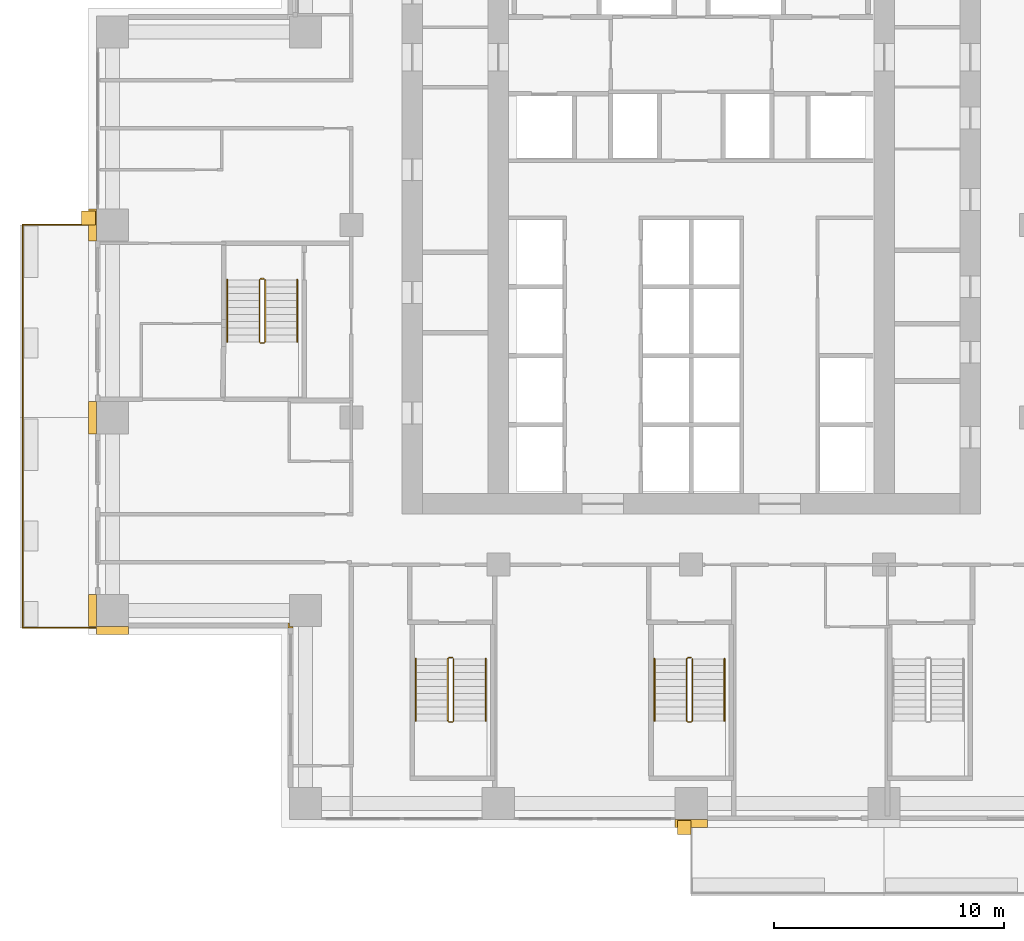
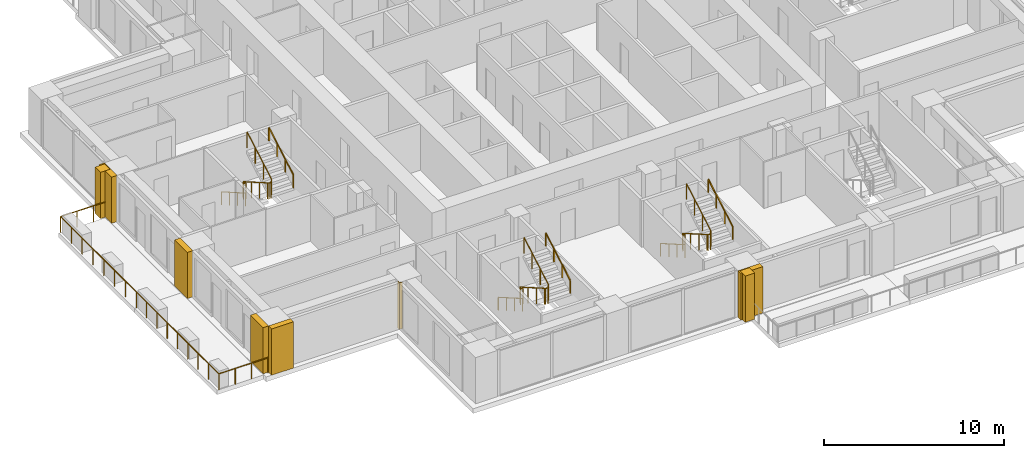
# One storey, part 15 of 17: 11 railings, 8 coverings.
"""IFC4 building model written with IfcOpenShell, lengths in metres."""

import ifcopenshell
import ifcopenshell.guid

model = None  # the IFC model being written
_history = None  # IfcOwnerHistory: only IFC2X3 demands one
_inside = {}  # id of a spatial element -> (the spatial element, [elements in it])
_under = {}  # id of a project, library or spatial element -> (it, [spatial elements below it])
_declared = {}  # id of a project -> (the project, [libraries it declares])
_typed = {}  # id of a type object -> (the type object, [elements of that type])
_made_of = {}  # id of a material, layer set ... -> (it, [elements and type objects made of it])


def new_model(schema):
    """Start an empty IFC model of exactly this schema.

    Asked for "IFC4X3", IfcOpenShell would pick the latest addendum, in which some entities
    have other attributes; the version numbers below select the first issue.
    IFC2X3 requires an IfcOwnerHistory on every rooted entity: one is made here for all.
    """
    global model, _history
    if schema == "IFC4X3":
        model = ifcopenshell.file(schema_version=(4, 3, 0, 0))
    else:
        model = ifcopenshell.file(schema=schema)
    _inside.clear()
    _under.clear()
    _declared.clear()
    _typed.clear()
    _made_of.clear()
    _history = None
    if model.schema == "IFC2X3":
        org = make("IfcOrganization", Name="unknown")
        user = make(
            "IfcPersonAndOrganization",
            ThePerson=make("IfcPerson", FamilyName="unknown"),
            TheOrganization=org,
        )
        app = make(
            "IfcApplication",
            ApplicationDeveloper=org,
            Version="unknown",
            ApplicationFullName="unknown",
            ApplicationIdentifier="unknown",
        )
        _history = make(
            "IfcOwnerHistory",
            OwningUser=user,
            OwningApplication=app,
            ChangeAction="ADDED",
            CreationDate=0,
        )
    return model


def make(cls, **values):
    """One entity of the class cls with the attributes given. An attribute that is None is left unset."""
    return model.create_entity(
        cls, **{name: value for name, value in values.items() if value is not None}
    )


def rooted(cls, **values):
    """An entity with a GlobalId (a new one), such as an element, a storey or a relation."""
    return make(cls, GlobalId=ifcopenshell.guid.new(), OwnerHistory=_history, **values)


def si_unit(unit_type, name, prefix=None):
    """IfcSIUnit, for example si_unit("LENGTHUNIT", "METRE", prefix="MILLI")."""
    return make("IfcSIUnit", UnitType=unit_type, Prefix=prefix, Name=name)


def assignment(units):
    """IfcUnitAssignment: the units of a project."""
    return None if units is None else make("IfcUnitAssignment", Units=units)


def point(xyz):
    """IfcCartesianPoint."""
    return None if xyz is None else make("IfcCartesianPoint", Coordinates=xyz)


def direction(xyz):
    """IfcDirection."""
    return None if xyz is None else make("IfcDirection", DirectionRatios=xyz)


def frame(location, z_axis=None, x_axis=None):
    """IfcAxis2Placement3D, a coordinate frame: its origin and axes. An axis left out is left unset."""
    return make(
        "IfcAxis2Placement3D",
        Location=point(location),
        Axis=direction(z_axis),
        RefDirection=direction(x_axis),
    )


def frame_2d(location, x_axis=None):
    """IfcAxis2Placement2D, a coordinate frame in the plane: its origin and x axis."""
    return make(
        "IfcAxis2Placement2D", Location=point(location), RefDirection=direction(x_axis)
    )


def origin():
    """The frame at (0, 0, 0) with its axes left unset."""
    return frame((0.0, 0.0, 0.0))


def origin_2d():
    """The frame at (0, 0) in the plane with its x axis left unset."""
    return frame_2d((0.0, 0.0))


def place(relative_to, where):
    """IfcLocalPlacement: puts the frame where relative to a parent placement (None: the world)."""
    return make(
        "IfcLocalPlacement", PlacementRelTo=relative_to, RelativePlacement=where
    )


def context(
    kind, dimensions, precision=None, world=None, true_north=None, identifier=None
):
    """IfcGeometricRepresentationContext, for example the 3D "Model" context."""
    return make(
        "IfcGeometricRepresentationContext",
        ContextIdentifier=identifier,
        ContextType=kind,
        CoordinateSpaceDimension=dimensions,
        Precision=precision,
        WorldCoordinateSystem=world,
        TrueNorth=true_north,
    )


def subcontext(parent, identifier, kind, view, scale=None):
    """IfcGeometricRepresentationSubContext, for example "Body" below "Model"."""
    return make(
        "IfcGeometricRepresentationSubContext",
        ContextIdentifier=identifier,
        ContextType=kind,
        ParentContext=parent,
        TargetScale=scale,
        TargetView=view,
    )


def project(units=None, contexts=None):
    """IfcProject with its units and contexts."""
    return rooted(
        "IfcProject",
        Name="project",
        RepresentationContexts=contexts,
        UnitsInContext=assignment(units),
    )


def spatial(cls, under=None, at=None, **own):
    """A site, building, storey or space (cls), placed at a placement, below another one or the project."""
    s = rooted(cls, ObjectPlacement=at, **own)
    if under is not None:
        _under.setdefault(under.id(), (under, []))[1].append(s)
    return s


def polyline(points):
    """IfcPolyline through the points."""
    return make("IfcPolyline", Points=[point(p) for p in points])


def profile(cls, at=None, kind="AREA", **sizes):
    """A parametric profile (cls). Its sizes go by their IFC names, for example OverallWidth=200.0."""
    return make(cls, ProfileType=kind, Position=at, **sizes)


def rectangle(**sizes):
    """IfcRectangleProfileDef."""
    return profile("IfcRectangleProfileDef", **sizes)


def outline(outer, holes=None, kind="AREA"):
    """IfcArbitraryClosedProfileDef: a profile drawn as a closed curve; with holes, ...WithVoids."""
    if holes is None:
        return make("IfcArbitraryClosedProfileDef", ProfileType=kind, OuterCurve=outer)
    return make(
        "IfcArbitraryProfileDefWithVoids",
        ProfileType=kind,
        OuterCurve=outer,
        InnerCurves=holes,
    )


def extrude(swept, where, along, depth):
    """IfcExtrudedAreaSolid: the profile swept, set in the frame where, extruded along a direction by depth."""
    return make(
        "IfcExtrudedAreaSolid",
        SweptArea=swept,
        Position=where,
        ExtrudedDirection=direction(along),
        Depth=depth,
    )


def shape(context_of_items, identifier, shape_type, items):
    """IfcShapeRepresentation: the items that make up one representation, for example the "Body"."""
    return make(
        "IfcShapeRepresentation",
        ContextOfItems=context_of_items,
        RepresentationIdentifier=identifier,
        RepresentationType=shape_type,
        Items=items,
    )


def material(Name=None, Category=None):
    """IfcMaterial."""
    return make("IfcMaterial", Name=Name, Category=Category)


def made_of(thing, what):
    """Note that an element or type object is made of a material, layer set ...; save() writes the relation."""
    if what is not None:
        _made_of.setdefault(what.id(), (what, []))[1].append(thing)
    return thing


def type_object(cls, material=None, **own):
    """A type object (cls), such as IfcWallType, which elements share."""
    return made_of(rooted(cls, **own), material)


def element(
    cls,
    number,
    at=None,
    inside=None,
    cuts=None,
    type_object=None,
    material=None,
    context=None,
    identifier="Body",
    shape_type=None,
    held_by="IfcProductDefinitionShape",
    body=None,
    shapes=None,
    **own,
):
    """One element of the class cls, such as IfcWall. Its Tag is "e" and its number.

    at: its placement. inside: the storey or other place that contains it. cuts: it is an
    opening in that element (IfcRelVoidsElement). A single representation is given by context,
    identifier, shape_type and body (its items); several are given by shapes. held_by: the class
    of the entity that holds the representations. save() writes the other relations.
    """
    e = rooted(cls, Tag="e%d" % number, ObjectPlacement=at, **own)
    if body is not None:
        shapes = [shape(context, identifier, shape_type, body)]
    if shapes is not None:
        e.Representation = make(held_by, Representations=shapes)
    if inside is not None:
        _inside.setdefault(inside.id(), (inside, []))[1].append(e)
    if cuts is not None:
        rooted(
            "IfcRelVoidsElement", RelatingBuildingElement=cuts, RelatedOpeningElement=e
        )
    if type_object is not None:
        _typed.setdefault(type_object.id(), (type_object, []))[1].append(e)
    return made_of(e, material)


def aggregate(whole, parts):
    """IfcRelAggregates: a whole, such as a stair, and the parts it consists of."""
    return rooted("IfcRelAggregates", RelatingObject=whole, RelatedObjects=parts)


def save(model, path):
    """Write the relations noted so far, then the file.

    IfcRelAggregates (storeys below a building ...), IfcRelContainedInSpatialStructure (elements
    in a storey), IfcRelDefinesByType, IfcRelAssociatesMaterial and IfcRelDeclares: one each for
    every whole, place, type object, material and project.
    """
    for whole, parts in _under.values():
        aggregate(whole, parts)
    for where, things in _inside.values():
        rooted(
            "IfcRelContainedInSpatialStructure",
            RelatedElements=things,
            RelatingStructure=where,
        )
    for kind, things in _typed.values():
        rooted("IfcRelDefinesByType", RelatedObjects=things, RelatingType=kind)
    for what, things in _made_of.values():
        rooted("IfcRelAssociatesMaterial", RelatedObjects=things, RelatingMaterial=what)
    for by, libraries in _declared.values():
        rooted("IfcRelDeclares", RelatingContext=by, RelatedDefinitions=libraries)
    model.write(path)


model = new_model("IFC4")

# Units and contexts
model_context = context("Model", 3, precision=1e-05, world=origin(), true_north=direction((0.0, 1.0)))
body_context = subcontext(model_context, "Body", "Model", "MODEL_VIEW")
ifc_project = project(units=[si_unit("LENGTHUNIT", "METRE"), si_unit("AREAUNIT", "SQUARE_METRE"), si_unit("VOLUMEUNIT", "CUBIC_METRE"), si_unit("PLANEANGLEUNIT", "RADIAN"), si_unit("MASSUNIT", "GRAM", prefix="KILO")], contexts=[model_context])

# Site, building, storey
site_placement = place(None, origin())
site = spatial("IfcSite", under=ifc_project, at=site_placement, CompositionType="ELEMENT")
building_placement = place(site_placement, origin())
building = spatial("IfcBuilding", under=site, at=building_placement, Name="Vermilion Ogive Tower", CompositionType="ELEMENT")
storey_placement = place(building_placement, frame((0.0, 0.0, 51.75)))
storey = spatial("IfcBuildingStorey", under=building, at=storey_placement, Name="L11", CompositionType="ELEMENT", Elevation=51.75)

# Railings
ifc_material_1 = material(Name="Stainless steel and glass", Category="steel")
railing_type_1 = type_object("IfcRailingType", Name="Balcony guard", PredefinedType="GUARDRAIL", material=ifc_material_1)
railing_1_placement = place(storey_placement, frame((-25.949951171875, 4.199951171875, -0.0400390625)))
element("IfcRailing", 1, at=railing_1_placement, inside=storey, type_object=railing_type_1, Name="Guard W02", PredefinedType="GUARDRAIL", context=body_context, shape_type="SweptSolid", body=[
    extrude(rectangle(XDim=0.048095703125, YDim=0.048095703125, at=origin_2d()), frame((0.0, 0.0, 1.076171875), z_axis=(-1.0, 0.0, 0.0), x_axis=(0.0, -1.0, 0.0)), (0.0, 0.0, 1.0), 3.16015625),
    extrude(rectangle(XDim=0.048095703125, YDim=0.048095703125, at=origin_2d()), frame((-3.16015625, 0.0, 1.076171875), z_axis=(0.0, -1.0, 0.0), x_axis=(1.0, 0.0, 0.0)), (0.0, 0.0, 1.0), 8.39990234375),
    extrude(rectangle(XDim=0.0419921875, YDim=0.0419921875, at=origin_2d()), origin(), (0.0, 0.0, 1.0), 1.052001953125),
    extrude(rectangle(XDim=0.0419921875, YDim=0.0419921875, at=origin_2d()), frame((-1.053466796875, 0.0, 0.0)), (0.0, 0.0, 1.0), 1.052001953125),
    extrude(rectangle(XDim=0.0419921875, YDim=0.0419921875, at=origin_2d()), frame((-2.106689453125, 0.0, 0.0)), (0.0, 0.0, 1.0), 1.052001953125),
    extrude(rectangle(XDim=0.0419921875, YDim=0.0419921875, at=origin_2d()), frame((-3.16015625, 0.0, 0.0)), (0.0, 0.0, 1.0), 1.052001953125),
    extrude(rectangle(XDim=0.0419921875, YDim=0.0419921875, at=origin_2d()), frame((-3.16015625, -1.199951171875, 0.0)), (0.0, 0.0, 1.0), 1.052001953125),
    extrude(rectangle(XDim=0.0419921875, YDim=0.0419921875, at=origin_2d()), frame((-3.16015625, -2.39990234375, 0.0)), (0.0, 0.0, 1.0), 1.052001953125),
    extrude(rectangle(XDim=0.0419921875, YDim=0.0419921875, at=origin_2d()), frame((-3.16015625, -3.599853515625, 0.0)), (0.0, 0.0, 1.0), 1.052001953125),
    extrude(rectangle(XDim=0.0419921875, YDim=0.0419921875, at=origin_2d()), frame((-3.16015625, -4.800048828125, 0.0)), (0.0, 0.0, 1.0), 1.052001953125),
    extrude(rectangle(XDim=0.0419921875, YDim=0.0419921875, at=origin_2d()), frame((-3.16015625, -6.0, 0.0)), (0.0, 0.0, 1.0), 1.052001953125),
    extrude(rectangle(XDim=0.0419921875, YDim=0.0419921875, at=origin_2d()), frame((-3.16015625, -7.199951171875, 0.0)), (0.0, 0.0, 1.0), 1.052001953125),
    extrude(rectangle(XDim=0.0419921875, YDim=0.0419921875, at=origin_2d()), frame((-3.16015625, -8.39990234375, 0.0)), (0.0, 0.0, 1.0), 1.052001953125),
])
railing_2_placement = place(storey_placement, frame((-29.110107421875, -4.199951171875, -0.0400390625)))
element("IfcRailing", 2, at=railing_2_placement, inside=storey, type_object=railing_type_1, Name="Guard W03", PredefinedType="GUARDRAIL", context=body_context, shape_type="SweptSolid", body=[
    extrude(rectangle(XDim=0.048095703125, YDim=0.048095703125, at=origin_2d()), frame((0.0, 0.0, 1.076171875), z_axis=(0.0, -1.0, 0.0), x_axis=(1.0, 0.0, 0.0)), (0.0, 0.0, 1.0), 9.150146484375),
    extrude(rectangle(XDim=0.048095703125, YDim=0.048095703125, at=origin_2d()), frame((0.0, -9.150146484375, 1.076171875), z_axis=(1.0, 0.0, 0.0), x_axis=(0.0, 1.0, 0.0)), (0.0, 0.0, 1.0), 3.16015625),
    extrude(rectangle(XDim=0.0419921875, YDim=0.0419921875, at=origin_2d()), origin(), (0.0, 0.0, 1.0), 1.052001953125),
    extrude(rectangle(XDim=0.0419921875, YDim=0.0419921875, at=origin_2d()), frame((0.0, -1.143798828125, 0.0)), (0.0, 0.0, 1.0), 1.052001953125),
    extrude(rectangle(XDim=0.0419921875, YDim=0.0419921875, at=origin_2d()), frame((0.0, -2.28759765625, 0.0)), (0.0, 0.0, 1.0), 1.052001953125),
    extrude(rectangle(XDim=0.0419921875, YDim=0.0419921875, at=origin_2d()), frame((0.0, -3.431396484375, 0.0)), (0.0, 0.0, 1.0), 1.052001953125),
    extrude(rectangle(XDim=0.0419921875, YDim=0.0419921875, at=origin_2d()), frame((0.0, -4.5751953125, 0.0)), (0.0, 0.0, 1.0), 1.052001953125),
    extrude(rectangle(XDim=0.0419921875, YDim=0.0419921875, at=origin_2d()), frame((0.0, -5.71875, 0.0)), (0.0, 0.0, 1.0), 1.052001953125),
    extrude(rectangle(XDim=0.0419921875, YDim=0.0419921875, at=origin_2d()), frame((0.0, -6.862548828125, 0.0)), (0.0, 0.0, 1.0), 1.052001953125),
    extrude(rectangle(XDim=0.0419921875, YDim=0.0419921875, at=origin_2d()), frame((0.0, -8.00634765625, 0.0)), (0.0, 0.0, 1.0), 1.052001953125),
    extrude(rectangle(XDim=0.0419921875, YDim=0.0419921875, at=origin_2d()), frame((0.0, -9.150146484375, 0.0)), (0.0, 0.0, 1.0), 1.052001953125),
    extrude(rectangle(XDim=0.0419921875, YDim=0.0419921875, at=origin_2d()), frame((1.053466796875, -9.150146484375, 0.0)), (0.0, 0.0, 1.0), 1.052001953125),
    extrude(rectangle(XDim=0.0419921875, YDim=0.0419921875, at=origin_2d()), frame((2.106689453125, -9.150146484375, 0.0)), (0.0, 0.0, 1.0), 1.052001953125),
    extrude(rectangle(XDim=0.0419921875, YDim=0.0419921875, at=origin_2d()), frame((3.16015625, -9.150146484375, 0.0)), (0.0, 0.0, 1.0), 1.052001953125),
])
ifc_material_2 = material(Name="Steel S355 painted", Category="steel")
railing_type_2 = type_object("IfcRailingType", Name="Stair guard 1100", PredefinedType="GUARDRAIL", material=ifc_material_2)
railing_3_placement = place(storey_placement, frame((-10.39990234375, -14.64990234375, 0.0)))
element("IfcRailing", 3, at=railing_3_placement, inside=storey, type_object=railing_type_2, Name="L11 ST3 stair guard 4", PredefinedType="GUARDRAIL", context=body_context, shape_type="SweptSolid", body=[
    extrude(rectangle(XDim=0.048095703125, YDim=0.048095703125, at=origin_2d()), frame((0.0, 0.0, 1.076171875), z_axis=(-1.0, 0.0, 0.0), x_axis=(0.0, -1.0, 0.0)), (0.0, 0.0, 1.0), 0.150146484375),
    extrude(rectangle(XDim=0.048095703125, YDim=0.048095703125, at=origin_2d()), frame((-0.150146484375, 0.0, 1.076171875), z_axis=(-0.268277960024, -0.268277960024, 0.925231793839), x_axis=(0.707106781187, -0.707106781187, 0.0)), (0.0, 0.0, 1.0), 0.1865234375),
    extrude(rectangle(XDim=0.048095703125, YDim=0.048095703125, at=origin_2d()), frame((-0.2001953125, -0.050048828125, 1.24853515625), z_axis=(0.0, -0.866903762492, 0.498475542607), x_axis=(1.0, 0.0, 0.0)), (0.0, 0.0, 1.0), 3.114501953125),
    extrude(rectangle(XDim=0.048095703125, YDim=0.048095703125, at=origin_2d()), frame((-0.2001953125, -2.75, 2.80126953125), z_axis=(0.707106781187, -0.707106781187, 0.0), x_axis=(0.707106781187, 0.707106781187, 0.0)), (0.0, 0.0, 1.0), 0.07080078125),
    extrude(rectangle(XDim=0.048095703125, YDim=0.048095703125, at=origin_2d()), frame((-0.150146484375, -2.800048828125, 2.80126953125), z_axis=(1.0, 0.0, 0.0), x_axis=(0.0, 1.0, 0.0)), (0.0, 0.0, 1.0), 0.150146484375),
    extrude(rectangle(XDim=0.048095703125, YDim=0.048095703125, at=origin_2d()), frame((0.0, -2.800048828125, 2.80126953125), z_axis=(0.267386790225, 0.268697509785, 0.925368009307), x_axis=(-0.708833529934, 0.705375805398, 0.0)), (0.0, 0.0, 1.0), 0.186279296875),
    extrude(rectangle(XDim=0.048095703125, YDim=0.048095703125, at=origin_2d()), frame((0.0498046875, -2.75, 2.9736328125), z_axis=(0.0, 0.866903762492, 0.498475542607), x_axis=(-1.0, 0.0, 0.0)), (0.0, 0.0, 1.0), 3.114501953125),
    extrude(rectangle(XDim=0.0419921875, YDim=0.0419921875, at=origin_2d()), origin(), (0.0, 0.0, 1.0), 1.052001953125),
    extrude(rectangle(XDim=0.0419921875, YDim=0.0419921875, at=origin_2d()), frame((-0.150146484375, 0.0, 0.0)), (0.0, 0.0, 1.0), 1.052001953125),
    extrude(rectangle(XDim=0.0419921875, YDim=0.0419921875, at=origin_2d()), frame((-0.2001953125, -0.050048828125, 0.172607421875)), (0.0, 0.0, 1.0), 1.052001953125),
    extrude(rectangle(XDim=0.0419921875, YDim=0.0419921875, at=origin_2d()), frame((-0.2001953125, -0.949951171875, 0.690185546875)), (0.0, 0.0, 1.0), 1.052001953125),
    extrude(rectangle(XDim=0.0419921875, YDim=0.0419921875, at=origin_2d()), frame((-0.2001953125, -1.85009765625, 1.20751953125)), (0.0, 0.0, 1.0), 1.052001953125),
    extrude(rectangle(XDim=0.0419921875, YDim=0.0419921875, at=origin_2d()), frame((-0.2001953125, -2.75, 1.72509765625)), (0.0, 0.0, 1.0), 1.052001953125),
    extrude(rectangle(XDim=0.0419921875, YDim=0.0419921875, at=origin_2d()), frame((-0.150146484375, -2.800048828125, 1.72509765625)), (0.0, 0.0, 1.0), 1.052001953125),
    extrude(rectangle(XDim=0.0419921875, YDim=0.0419921875, at=origin_2d()), frame((0.0, -2.800048828125, 1.72509765625)), (0.0, 0.0, 1.0), 1.052001953125),
    extrude(rectangle(XDim=0.0419921875, YDim=0.0419921875, at=origin_2d()), frame((0.0498046875, -2.75, 1.8974609375)), (0.0, 0.0, 1.0), 1.052001953125),
    extrude(rectangle(XDim=0.0419921875, YDim=0.0419921875, at=origin_2d()), frame((0.0498046875, -1.85009765625, 2.4150390625)), (0.0, 0.0, 1.0), 1.052001953125),
    extrude(rectangle(XDim=0.0419921875, YDim=0.0419921875, at=origin_2d()), frame((0.0498046875, -0.949951171875, 2.932373046875)), (0.0, 0.0, 1.0), 1.052001953125),
    extrude(rectangle(XDim=0.0419921875, YDim=0.0419921875, at=origin_2d()), frame((0.0498046875, -0.050048828125, 3.449951171875)), (0.0, 0.0, 1.0), 1.052001953125),
])
railing_4_placement = place(storey_placement, frame((0.0, -14.64990234375, 0.0)))
element("IfcRailing", 4, at=railing_4_placement, inside=storey, type_object=railing_type_2, Name="L11 ST4 stair guard 4", PredefinedType="GUARDRAIL", context=body_context, shape_type="SweptSolid", body=[
    extrude(rectangle(XDim=0.048095703125, YDim=0.048095703125, at=origin_2d()), frame((0.0, 0.0, 1.076171875), z_axis=(-1.0, 0.0, 0.0), x_axis=(0.0, -1.0, 0.0)), (0.0, 0.0, 1.0), 0.14990234375),
    extrude(rectangle(XDim=0.048095703125, YDim=0.048095703125, at=origin_2d()), frame((-0.14990234375, 0.0, 1.076171875), z_axis=(-0.268277960024, -0.268277960024, 0.925231793839), x_axis=(0.707106781187, -0.707106781187, 0.0)), (0.0, 0.0, 1.0), 0.1865234375),
    extrude(rectangle(XDim=0.048095703125, YDim=0.048095703125, at=origin_2d()), frame((-0.199951171875, -0.050048828125, 1.24853515625), z_axis=(0.0, -0.866903762492, 0.498475542607), x_axis=(1.0, 0.0, 0.0)), (0.0, 0.0, 1.0), 3.114501953125),
    extrude(rectangle(XDim=0.048095703125, YDim=0.048095703125, at=origin_2d()), frame((-0.199951171875, -2.75, 2.80126953125), z_axis=(0.707106781187, -0.707106781187, 0.0), x_axis=(0.707106781187, 0.707106781187, 0.0)), (0.0, 0.0, 1.0), 0.07080078125),
    extrude(rectangle(XDim=0.048095703125, YDim=0.048095703125, at=origin_2d()), frame((-0.14990234375, -2.800048828125, 2.80126953125), z_axis=(1.0, 0.0, 0.0), x_axis=(0.0, 1.0, 0.0)), (0.0, 0.0, 1.0), 0.14990234375),
    extrude(rectangle(XDim=0.048095703125, YDim=0.048095703125, at=origin_2d()), frame((0.0, -2.800048828125, 2.80126953125), z_axis=(0.268603158521, 0.268603158521, 0.925043072762), x_axis=(-0.707106781187, 0.707106781187, 0.0)), (0.0, 0.0, 1.0), 0.186279296875),
    extrude(rectangle(XDim=0.048095703125, YDim=0.048095703125, at=origin_2d()), frame((0.050048828125, -2.75, 2.9736328125), z_axis=(0.0, 0.866903762492, 0.498475542607), x_axis=(-1.0, 0.0, 0.0)), (0.0, 0.0, 1.0), 3.114501953125),
    extrude(rectangle(XDim=0.0419921875, YDim=0.0419921875, at=origin_2d()), origin(), (0.0, 0.0, 1.0), 1.052001953125),
    extrude(rectangle(XDim=0.0419921875, YDim=0.0419921875, at=origin_2d()), frame((-0.14990234375, 0.0, 0.0)), (0.0, 0.0, 1.0), 1.052001953125),
    extrude(rectangle(XDim=0.0419921875, YDim=0.0419921875, at=origin_2d()), frame((-0.199951171875, -0.050048828125, 0.172607421875)), (0.0, 0.0, 1.0), 1.052001953125),
    extrude(rectangle(XDim=0.0419921875, YDim=0.0419921875, at=origin_2d()), frame((-0.199951171875, -0.949951171875, 0.690185546875)), (0.0, 0.0, 1.0), 1.052001953125),
    extrude(rectangle(XDim=0.0419921875, YDim=0.0419921875, at=origin_2d()), frame((-0.199951171875, -1.85009765625, 1.20751953125)), (0.0, 0.0, 1.0), 1.052001953125),
    extrude(rectangle(XDim=0.0419921875, YDim=0.0419921875, at=origin_2d()), frame((-0.199951171875, -2.75, 1.72509765625)), (0.0, 0.0, 1.0), 1.052001953125),
    extrude(rectangle(XDim=0.0419921875, YDim=0.0419921875, at=origin_2d()), frame((-0.14990234375, -2.800048828125, 1.72509765625)), (0.0, 0.0, 1.0), 1.052001953125),
    extrude(rectangle(XDim=0.0419921875, YDim=0.0419921875, at=origin_2d()), frame((0.0, -2.800048828125, 1.72509765625)), (0.0, 0.0, 1.0), 1.052001953125),
    extrude(rectangle(XDim=0.0419921875, YDim=0.0419921875, at=origin_2d()), frame((0.050048828125, -2.75, 1.8974609375)), (0.0, 0.0, 1.0), 1.052001953125),
    extrude(rectangle(XDim=0.0419921875, YDim=0.0419921875, at=origin_2d()), frame((0.050048828125, -1.85009765625, 2.4150390625)), (0.0, 0.0, 1.0), 1.052001953125),
    extrude(rectangle(XDim=0.0419921875, YDim=0.0419921875, at=origin_2d()), frame((0.050048828125, -0.949951171875, 2.932373046875)), (0.0, 0.0, 1.0), 1.052001953125),
    extrude(rectangle(XDim=0.0419921875, YDim=0.0419921875, at=origin_2d()), frame((0.050048828125, -0.050048828125, 3.449951171875)), (0.0, 0.0, 1.0), 1.052001953125),
])
railing_5_placement = place(storey_placement, frame((-18.60009765625, 1.85009765625, 0.0)))
element("IfcRailing", 5, at=railing_5_placement, inside=storey, type_object=railing_type_2, Name="L11 ST9 stair guard 4", PredefinedType="GUARDRAIL", context=body_context, shape_type="SweptSolid", body=[
    extrude(rectangle(XDim=0.048095703125, YDim=0.048095703125, at=origin_2d()), frame((0.0, 0.0, 1.076171875), z_axis=(-1.0, 0.0, 0.0), x_axis=(0.0, -1.0, 0.0)), (0.0, 0.0, 1.0), 0.14990234375),
    extrude(rectangle(XDim=0.048095703125, YDim=0.048095703125, at=origin_2d()), frame((-0.14990234375, 0.0, 1.076171875), z_axis=(-0.268277960024, -0.268277960024, 0.925231793839), x_axis=(0.707106781187, -0.707106781187, 0.0)), (0.0, 0.0, 1.0), 0.1865234375),
    extrude(rectangle(XDim=0.048095703125, YDim=0.048095703125, at=origin_2d()), frame((-0.199951171875, -0.050048828125, 1.24853515625), z_axis=(0.0, -0.866903762492, 0.498475542607), x_axis=(1.0, 0.0, 0.0)), (0.0, 0.0, 1.0), 3.114501953125),
    extrude(rectangle(XDim=0.048095703125, YDim=0.048095703125, at=origin_2d()), frame((-0.199951171875, -2.75, 2.80126953125), z_axis=(0.707106781187, -0.707106781187, 0.0), x_axis=(0.707106781187, 0.707106781187, 0.0)), (0.0, 0.0, 1.0), 0.07080078125),
    extrude(rectangle(XDim=0.048095703125, YDim=0.048095703125, at=origin_2d()), frame((-0.14990234375, -2.800048828125, 2.80126953125), z_axis=(1.0, 0.0, 0.0), x_axis=(0.0, 1.0, 0.0)), (0.0, 0.0, 1.0), 0.14990234375),
    extrude(rectangle(XDim=0.048095703125, YDim=0.048095703125, at=origin_2d()), frame((0.0, -2.800048828125, 2.80126953125), z_axis=(0.268603158521, 0.268603158521, 0.925043072762), x_axis=(-0.707106781187, 0.707106781187, 0.0)), (0.0, 0.0, 1.0), 0.186279296875),
    extrude(rectangle(XDim=0.048095703125, YDim=0.048095703125, at=origin_2d()), frame((0.050048828125, -2.75, 2.9736328125), z_axis=(0.0, 0.866903762492, 0.498475542607), x_axis=(-1.0, 0.0, 0.0)), (0.0, 0.0, 1.0), 3.114501953125),
    extrude(rectangle(XDim=0.0419921875, YDim=0.0419921875, at=origin_2d()), origin(), (0.0, 0.0, 1.0), 1.052001953125),
    extrude(rectangle(XDim=0.0419921875, YDim=0.0419921875, at=origin_2d()), frame((-0.14990234375, 0.0, 0.0)), (0.0, 0.0, 1.0), 1.052001953125),
    extrude(rectangle(XDim=0.0419921875, YDim=0.0419921875, at=origin_2d()), frame((-0.199951171875, -0.050048828125, 0.172607421875)), (0.0, 0.0, 1.0), 1.052001953125),
    extrude(rectangle(XDim=0.0419921875, YDim=0.0419921875, at=origin_2d()), frame((-0.199951171875, -0.949951171875, 0.690185546875)), (0.0, 0.0, 1.0), 1.052001953125),
    extrude(rectangle(XDim=0.0419921875, YDim=0.0419921875, at=origin_2d()), frame((-0.199951171875, -1.85009765625, 1.20751953125)), (0.0, 0.0, 1.0), 1.052001953125),
    extrude(rectangle(XDim=0.0419921875, YDim=0.0419921875, at=origin_2d()), frame((-0.199951171875, -2.75, 1.72509765625)), (0.0, 0.0, 1.0), 1.052001953125),
    extrude(rectangle(XDim=0.0419921875, YDim=0.0419921875, at=origin_2d()), frame((-0.14990234375, -2.800048828125, 1.72509765625)), (0.0, 0.0, 1.0), 1.052001953125),
    extrude(rectangle(XDim=0.0419921875, YDim=0.0419921875, at=origin_2d()), frame((0.0, -2.800048828125, 1.72509765625)), (0.0, 0.0, 1.0), 1.052001953125),
    extrude(rectangle(XDim=0.0419921875, YDim=0.0419921875, at=origin_2d()), frame((0.050048828125, -2.75, 1.8974609375)), (0.0, 0.0, 1.0), 1.052001953125),
    extrude(rectangle(XDim=0.0419921875, YDim=0.0419921875, at=origin_2d()), frame((0.050048828125, -1.85009765625, 2.4150390625)), (0.0, 0.0, 1.0), 1.052001953125),
    extrude(rectangle(XDim=0.0419921875, YDim=0.0419921875, at=origin_2d()), frame((0.050048828125, -0.949951171875, 2.932373046875)), (0.0, 0.0, 1.0), 1.052001953125),
    extrude(rectangle(XDim=0.0419921875, YDim=0.0419921875, at=origin_2d()), frame((0.050048828125, -0.050048828125, 3.449951171875)), (0.0, 0.0, 1.0), 1.052001953125),
])
ifc_material_3 = material(Name="Stainless steel", Category="steel")
railing_type_3 = type_object("IfcRailingType", Name="Stair handrail 900", PredefinedType="HANDRAIL", material=ifc_material_3)
railing_6_placement = place(storey_placement, frame((-12.0, -14.699951171875, 0.172607421875)))
element("IfcRailing", 6, at=railing_6_placement, inside=storey, type_object=railing_type_3, Name="L11 ST3 stair handrail 1", PredefinedType="HANDRAIL", context=body_context, shape_type="SweptSolid", body=[
    extrude(rectangle(XDim=0.048095703125, YDim=0.048095703125, at=origin_2d()), frame((0.0, 0.0, 0.8759765625), z_axis=(0.0, -0.866903762492, 0.498475542607), x_axis=(1.0, 0.0, 0.0)), (0.0, 0.0, 1.0), 3.114501953125),
    extrude(rectangle(XDim=0.0419921875, YDim=0.0419921875, at=origin_2d()), origin(), (0.0, 0.0, 1.0), 0.851806640625),
    extrude(rectangle(XDim=0.0419921875, YDim=0.0419921875, at=origin_2d()), frame((0.0, -0.89990234375, 0.517578125)), (0.0, 0.0, 1.0), 0.851806640625),
    extrude(rectangle(XDim=0.0419921875, YDim=0.0419921875, at=origin_2d()), frame((0.0, -1.800048828125, 1.034912109375)), (0.0, 0.0, 1.0), 0.851806640625),
    extrude(rectangle(XDim=0.0419921875, YDim=0.0419921875, at=origin_2d()), frame((0.0, -2.699951171875, 1.552490234375)), (0.0, 0.0, 1.0), 0.851806640625),
])
railing_7_placement = place(storey_placement, frame((-8.949951171875, -17.39990234375, 1.8974609375)))
element("IfcRailing", 7, at=railing_7_placement, inside=storey, type_object=railing_type_3, Name="L11 ST3 stair handrail 2", PredefinedType="HANDRAIL", context=body_context, shape_type="SweptSolid", body=[
    extrude(rectangle(XDim=0.048095703125, YDim=0.048095703125, at=origin_2d()), frame((0.0, 0.0, 0.8759765625), z_axis=(0.0, 0.866903762492, 0.498475542607), x_axis=(-1.0, 0.0, 0.0)), (0.0, 0.0, 1.0), 3.114501953125),
    extrude(rectangle(XDim=0.0419921875, YDim=0.0419921875, at=origin_2d()), origin(), (0.0, 0.0, 1.0), 0.851806640625),
    extrude(rectangle(XDim=0.0419921875, YDim=0.0419921875, at=origin_2d()), frame((0.0, 0.89990234375, 0.517578125)), (0.0, 0.0, 1.0), 0.851806640625),
    extrude(rectangle(XDim=0.0419921875, YDim=0.0419921875, at=origin_2d()), frame((0.0, 1.800048828125, 1.034912109375)), (0.0, 0.0, 1.0), 0.851806640625),
    extrude(rectangle(XDim=0.0419921875, YDim=0.0419921875, at=origin_2d()), frame((0.0, 2.699951171875, 1.552490234375)), (0.0, 0.0, 1.0), 0.851806640625),
])
railing_8_placement = place(storey_placement, frame((-1.60009765625, -14.699951171875, 0.172607421875)))
element("IfcRailing", 8, at=railing_8_placement, inside=storey, type_object=railing_type_3, Name="L11 ST4 stair handrail 1", PredefinedType="HANDRAIL", context=body_context, shape_type="SweptSolid", body=[
    extrude(rectangle(XDim=0.048095703125, YDim=0.048095703125, at=origin_2d()), frame((0.0, 0.0, 0.8759765625), z_axis=(0.0, -0.866903762492, 0.498475542607), x_axis=(1.0, 0.0, 0.0)), (0.0, 0.0, 1.0), 3.114501953125),
    extrude(rectangle(XDim=0.0419921875, YDim=0.0419921875, at=origin_2d()), origin(), (0.0, 0.0, 1.0), 0.851806640625),
    extrude(rectangle(XDim=0.0419921875, YDim=0.0419921875, at=origin_2d()), frame((0.0, -0.89990234375, 0.517578125)), (0.0, 0.0, 1.0), 0.851806640625),
    extrude(rectangle(XDim=0.0419921875, YDim=0.0419921875, at=origin_2d()), frame((0.0, -1.800048828125, 1.034912109375)), (0.0, 0.0, 1.0), 0.851806640625),
    extrude(rectangle(XDim=0.0419921875, YDim=0.0419921875, at=origin_2d()), frame((0.0, -2.699951171875, 1.552490234375)), (0.0, 0.0, 1.0), 0.851806640625),
])
railing_9_placement = place(storey_placement, frame((1.449951171875, -17.39990234375, 1.8974609375)))
element("IfcRailing", 9, at=railing_9_placement, inside=storey, type_object=railing_type_3, Name="L11 ST4 stair handrail 2", PredefinedType="HANDRAIL", context=body_context, shape_type="SweptSolid", body=[
    extrude(rectangle(XDim=0.048095703125, YDim=0.048095703125, at=origin_2d()), frame((0.0, 0.0, 0.8759765625), z_axis=(0.0, 0.866903762492, 0.498475542607), x_axis=(-1.0, 0.0, 0.0)), (0.0, 0.0, 1.0), 3.114501953125),
    extrude(rectangle(XDim=0.0419921875, YDim=0.0419921875, at=origin_2d()), origin(), (0.0, 0.0, 1.0), 0.851806640625),
    extrude(rectangle(XDim=0.0419921875, YDim=0.0419921875, at=origin_2d()), frame((0.0, 0.89990234375, 0.517578125)), (0.0, 0.0, 1.0), 0.851806640625),
    extrude(rectangle(XDim=0.0419921875, YDim=0.0419921875, at=origin_2d()), frame((0.0, 1.800048828125, 1.034912109375)), (0.0, 0.0, 1.0), 0.851806640625),
    extrude(rectangle(XDim=0.0419921875, YDim=0.0419921875, at=origin_2d()), frame((0.0, 2.699951171875, 1.552490234375)), (0.0, 0.0, 1.0), 0.851806640625),
])
railing_10_placement = place(storey_placement, frame((-20.199951171875, 1.800048828125, 0.172607421875)))
element("IfcRailing", 10, at=railing_10_placement, inside=storey, type_object=railing_type_3, Name="L11 ST9 stair handrail 1", PredefinedType="HANDRAIL", context=body_context, shape_type="SweptSolid", body=[
    extrude(rectangle(XDim=0.048095703125, YDim=0.048095703125, at=origin_2d()), frame((0.0, 0.0, 0.8759765625), z_axis=(0.0, -0.866903762492, 0.498475542607), x_axis=(1.0, 0.0, 0.0)), (0.0, 0.0, 1.0), 3.114501953125),
    extrude(rectangle(XDim=0.0419921875, YDim=0.0419921875, at=origin_2d()), origin(), (0.0, 0.0, 1.0), 0.851806640625),
    extrude(rectangle(XDim=0.0419921875, YDim=0.0419921875, at=origin_2d()), frame((0.0, -0.89990234375, 0.517578125)), (0.0, 0.0, 1.0), 0.851806640625),
    extrude(rectangle(XDim=0.0419921875, YDim=0.0419921875, at=origin_2d()), frame((0.0, -1.800048828125, 1.034912109375)), (0.0, 0.0, 1.0), 0.851806640625),
    extrude(rectangle(XDim=0.0419921875, YDim=0.0419921875, at=origin_2d()), frame((0.0, -2.699951171875, 1.552490234375)), (0.0, 0.0, 1.0), 0.851806640625),
])
railing_11_placement = place(storey_placement, frame((-17.14990234375, -0.89990234375, 1.8974609375)))
element("IfcRailing", 11, at=railing_11_placement, inside=storey, type_object=railing_type_3, Name="L11 ST9 stair handrail 2", PredefinedType="HANDRAIL", context=body_context, shape_type="SweptSolid", body=[
    extrude(rectangle(XDim=0.048095703125, YDim=0.048095703125, at=origin_2d()), frame((0.0, 0.0, 0.8759765625), z_axis=(0.0, 0.866903762492, 0.498475542607), x_axis=(-1.0, 0.0, 0.0)), (0.0, 0.0, 1.0), 3.114501953125),
    extrude(rectangle(XDim=0.0419921875, YDim=0.0419921875, at=origin_2d()), origin(), (0.0, 0.0, 1.0), 0.851806640625),
    extrude(rectangle(XDim=0.0419921875, YDim=0.0419921875, at=origin_2d()), frame((0.0, 0.89990234375, 0.517578125)), (0.0, 0.0, 1.0), 0.851806640625),
    extrude(rectangle(XDim=0.0419921875, YDim=0.0419921875, at=origin_2d()), frame((0.0, 1.800048828125, 1.034912109375)), (0.0, 0.0, 1.0), 0.851806640625),
    extrude(rectangle(XDim=0.0419921875, YDim=0.0419921875, at=origin_2d()), frame((0.0, 2.699951171875, 1.552490234375)), (0.0, 0.0, 1.0), 0.851806640625),
])

# Coverings
ifc_material_4 = material(Name="Stone cladding", Category="masonry")
covering_type_1 = type_object("IfcCoveringType", Name="Stone corner buttress", PredefinedType="CLADDING", material=ifc_material_4)
covering_1_placement = place(storey_placement, origin())
element("IfcCovering", 12, at=covering_1_placement, inside=storey, type_object=covering_type_1, Name="Stone crease pier SK", PredefinedType="CLADDING", context=body_context, shape_type="SweptSolid", body=[
    extrude(outline(polyline([(-0.60009765625, -22.35009765625), (0.0, -22.35009765625), (0.0, -21.75), (-0.60009765625, -21.75), (-0.60009765625, -22.35009765625)])), origin(), (0.0, 0.0, 1.0), 3.1298828125),
])
covering_2_placement = place(storey_placement, origin())
element("IfcCovering", 13, at=covering_2_placement, inside=storey, type_object=covering_type_1, Name="Stone crease pier WK", PredefinedType="CLADDING", context=body_context, shape_type="SweptSolid", body=[
    extrude(outline(polyline([(-26.550048828125, 4.800048828125), (-26.550048828125, 4.199951171875), (-25.949951171875, 4.199951171875), (-25.949951171875, 4.800048828125), (-26.550048828125, 4.800048828125)])), origin(), (0.0, 0.0, 1.0), 3.1298828125),
])
ifc_material_5 = material(Name="Stone cladding", Category="masonry")
covering_type_2 = type_object("IfcCoveringType", Name="Stone pier", PredefinedType="CLADDING", material=ifc_material_5)
covering_3_placement = place(storey_placement, origin())
element("IfcCovering", 14, at=covering_3_placement, inside=storey, type_object=covering_type_2, Name="Stone corner pier X7E1", PredefinedType="CLADDING", context=body_context, shape_type="SweptSolid", body=[
    extrude(outline(polyline([(-17.5, -13.14990234375), (-17.5, -13.300048828125), (-17.35009765625, -13.300048828125), (-17.35009765625, -13.35009765625), (-17.550048828125, -13.35009765625), (-17.550048828125, -13.14990234375), (-17.5, -13.14990234375)])), origin(), (0.0, 0.0, 1.0), 3.1298828125),
])
covering_4_placement = place(storey_placement, origin())
element("IfcCovering", 15, at=covering_4_placement, inside=storey, type_object=covering_type_2, Name="Stone pier P+0000-210", PredefinedType="CLADDING", context=body_context, shape_type="SweptSolid", body=[
    extrude(outline(polyline([(0.699951171875, -22.050048828125), (0.0, -22.050048828125), (0.0, -21.75), (-0.60009765625, -21.75), (-0.60009765625, -22.050048828125), (-0.699951171875, -22.050048828125), (-0.699951171875, -21.699951171875), (0.699951171875, -21.699951171875), (0.699951171875, -22.050048828125)])), origin(), (0.0, 0.0, 1.0), 3.1298828125),
])
covering_5_placement = place(storey_placement, origin())
element("IfcCovering", 16, at=covering_5_placement, inside=storey, type_object=covering_type_2, Name="Stone pier P-0252+042", PredefinedType="CLADDING", context=body_context, shape_type="SweptSolid", body=[
    extrude(outline(polyline([(-26.25, 3.5), (-26.25, 4.199951171875), (-25.949951171875, 4.199951171875), (-25.949951171875, 4.800048828125), (-26.25, 4.800048828125), (-26.25, 4.89990234375), (-25.89990234375, 4.89990234375), (-25.89990234375, 3.5), (-26.25, 3.5)])), origin(), (0.0, 0.0, 1.0), 3.1298828125),
])
covering_6_placement = place(storey_placement, origin())
element("IfcCovering", 17, at=covering_6_placement, inside=storey, type_object=covering_type_2, Name="Stone pier P-0252-042", PredefinedType="CLADDING", context=body_context, shape_type="SweptSolid", body=[
    extrude(outline(polyline([(-26.25, -4.89990234375), (-26.25, -3.5), (-25.89990234375, -3.5), (-25.89990234375, -4.89990234375), (-26.25, -4.89990234375)])), origin(), (0.0, 0.0, 1.0), 3.1298828125),
])
covering_7_placement = place(storey_placement, origin())
element("IfcCovering", 18, at=covering_7_placement, inside=storey, type_object=covering_type_2, Name="Stone pier P-0252-126W", PredefinedType="CLADDING", context=body_context, shape_type="SweptSolid", body=[
    extrude(outline(polyline([(-26.25, -13.300048828125), (-26.25, -11.89990234375), (-25.89990234375, -11.89990234375), (-25.89990234375, -13.300048828125), (-26.25, -13.300048828125)])), origin(), (0.0, 0.0, 1.0), 3.1298828125),
])
covering_8_placement = place(storey_placement, origin())
element("IfcCovering", 19, at=covering_8_placement, inside=storey, type_object=covering_type_2, Name="Stone pier P-0252-126X7", PredefinedType="CLADDING", context=body_context, shape_type="SweptSolid", body=[
    extrude(outline(polyline([(-25.89990234375, -13.64990234375), (-25.89990234375, -13.300048828125), (-24.5, -13.300048828125), (-24.5, -13.64990234375), (-25.89990234375, -13.64990234375)])), origin(), (0.0, 0.0, 1.0), 3.1298828125),
])

save(model, "model.ifc")
